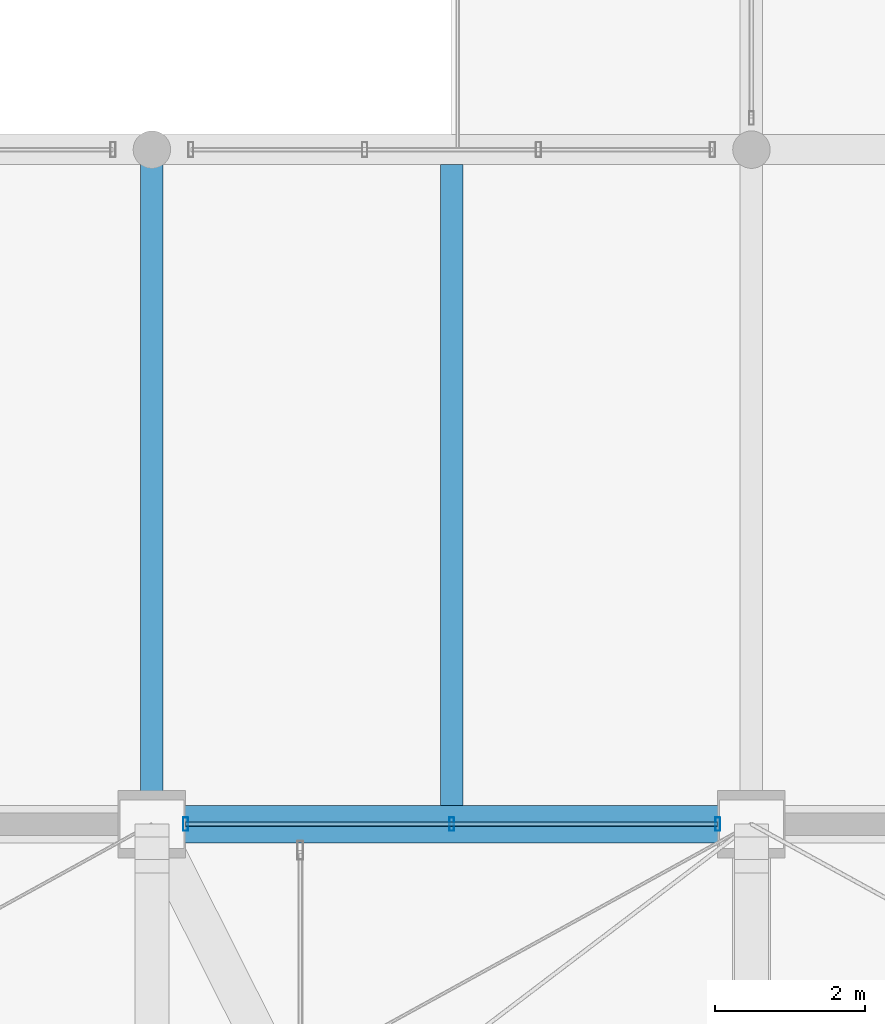
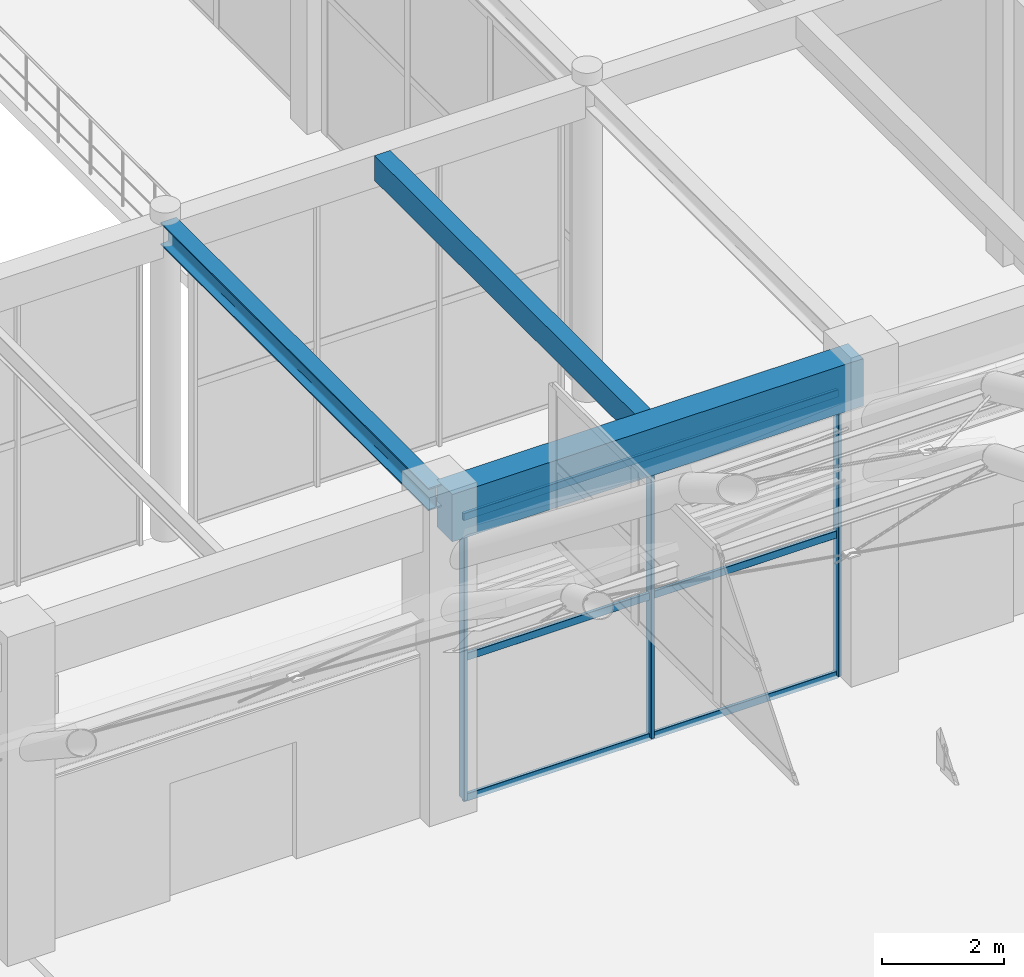
# One storey, part 79 of 163: 6 members, 3 beams, 1 element without a shape of its own.
"""IFC4 building model written with IfcOpenShell, lengths in metres."""

from ifc_helpers import new_model, si_unit, direction, frame, origin, origin_2d, place, context, subcontext, project, spatial, rectangle, hollow_rectangle, i_section, extrude, material, material_profile, profile_set, type_object, element, aggregate, save


model = new_model("IFC4")

# Units and contexts
model_context = context("Model", 3, precision=1e-05, world=origin(), true_north=direction((0.0, 1.0)))
body_context = subcontext(model_context, "Body", "Model", "MODEL_VIEW")
ifc_project = project(units=[si_unit("LENGTHUNIT", "METRE"), si_unit("AREAUNIT", "SQUARE_METRE"), si_unit("VOLUMEUNIT", "CUBIC_METRE"), si_unit("PLANEANGLEUNIT", "RADIAN"), si_unit("MASSUNIT", "GRAM", prefix="KILO")], contexts=[model_context])

# Site, building, storey
site_placement = place(None, origin())
site = spatial("IfcSite", under=ifc_project, at=site_placement, CompositionType="ELEMENT")
building_placement = place(site_placement, origin())
building = spatial("IfcBuilding", under=site, at=building_placement, Name="Varnabhumi Central Station", CompositionType="ELEMENT")
storey_placement = place(building_placement, frame((0.0, 0.0, 9.60009765625)))
storey = spatial("IfcBuildingStorey", under=building, at=storey_placement, Name="L02", CompositionType="ELEMENT", Elevation=9.60009765625)

# Beams
ifc_material_1 = material(Name="Concrete M40", Category="concrete")
ifc_material_profile_1 = material_profile(ifc_material_1, rectangle(XDim=0.300048828125, YDim=0.5, at=origin_2d()), Name="Concrete M40", Category="concrete")
ifc_profile_set_1 = profile_set([ifc_material_profile_1], Name="Concrete M40")
beam_type_1 = type_object("IfcBeamType", Name="BM-RC-300x500", PredefinedType="JOIST", material=ifc_profile_set_1)
beam_1_placement = place(storey_placement, frame((76.0, 80.25, 6.099853515625), z_axis=(0.0, 1.0, 0.0), x_axis=(-1.0, 0.0, 0.0)))
element("IfcBeam", 1, at=beam_1_placement, inside=storey, type_object=beam_type_1, Name="Secondary Joist L02-10/11:K-L", PredefinedType="JOIST", context=body_context, shape_type="SweptSolid", body=[
    extrude(rectangle(XDim=0.300048828125, YDim=0.5, at=origin_2d()), origin(), (0.0, 0.0, 1.0), 8.550048828125),
])
ifc_material_profile_2 = material_profile(ifc_material_1, rectangle(XDim=0.5, YDim=0.949951171875, at=origin_2d()), Name="Concrete M40", Category="concrete")
ifc_profile_set_2 = profile_set([ifc_material_profile_2], Name="Concrete M40")
beam_type_2 = type_object("IfcBeamType", Name="BM-RC-950x500", PredefinedType="BEAM", material=ifc_profile_set_2)
beam_2_placement = place(storey_placement, frame((72.10009765625, 80.0, 5.875), z_axis=(1.0, 0.0, 0.0), x_axis=(0.0, 1.0, 0.0)))
element("IfcBeam", 2, at=beam_2_placement, inside=storey, type_object=beam_type_2, Name="Beam L02-K:10-11", PredefinedType="BEAM", context=body_context, shape_type="SweptSolid", body=[
    extrude(rectangle(XDim=0.5, YDim=0.949951171875, at=origin_2d()), origin(), (0.0, 0.0, 1.0), 7.7998046875),
])
ifc_material_2 = material(Name="Structural steel E350", Category="steel")
ifc_material_profile_3 = material_profile(ifc_material_2, i_section(OverallWidth=0.300048828125, OverallDepth=0.449951171875, WebThickness=0.013916015625, FlangeThickness=0.02587890625, FilletRadius=0.027099609375, at=origin_2d()), Name="Structural steel E350", Category="steel")
ifc_profile_set_3 = profile_set([ifc_material_profile_3], Name="Structural steel E350")
beam_type_3 = type_object("IfcBeamType", Name="BM-STL-WPB450", PredefinedType="BEAM", material=ifc_profile_set_3)
beam_3_placement = place(storey_placement, frame((72.0, 80.10009765625, 6.125), z_axis=(0.0, 1.0, 0.0), x_axis=(-1.0, 0.0, 0.0)))
element("IfcBeam", 3, at=beam_3_placement, inside=storey, type_object=beam_type_3, Name="Beam L02-10:K-L", PredefinedType="BEAM", context=body_context, shape_type="SweptSolid", body=[
    extrude(i_section(OverallWidth=0.300048828125, OverallDepth=0.449951171875, WebThickness=0.013916015625, FlangeThickness=0.02587890625, FilletRadius=0.027099609375, at=origin_2d()), origin(), (0.0, 0.0, 1.0), 8.7998046875),
])

# Curtain wall, members
ifc_material_3 = material(Name="Anodised aluminium 6063-T6", Category="aluminium")
curtain_wall_type = type_object("IfcCurtainWallType", Name="CW-SPINE-SCREEN-L2", PredefinedType="NOTDEFINED", material=ifc_material_3)
curtain_wall_placement = place(storey_placement, origin())
curtain_wall = element("IfcCurtainWall", 4, at=curtain_wall_placement, inside=storey, type_object=curtain_wall_type, Name="Curtain Wall CW-NS206", PredefinedType="NOTDEFINED")
ifc_material_profile_4 = material_profile(ifc_material_3, hollow_rectangle(XDim=0.06494140625, YDim=0.179931640625, WallThickness=0.00390625, InnerFilletRadius=0.001953125, OuterFilletRadius=0.006103515625, at=origin_2d()), Name="Anodised aluminium 6063-T6", Category="aluminium")
ifc_profile_set_4 = profile_set([ifc_material_profile_4], Name="Anodised aluminium 6063-T6")
member_type_1 = type_object("IfcMemberType", Name="CW-MUL-180", PredefinedType="MULLION", material=ifc_profile_set_4)
member_1_placement = place(storey_placement, frame((72.449951171875, 80.0, 0.0), z_axis=(0.0, 0.0, 1.0), x_axis=(1.0, 0.0, 0.0)))
member_1 = element("IfcMember", 5, at=member_1_placement, type_object=member_type_1, Name="Curtain Wall Mullion CW-NS206-M1", PredefinedType="MULLION", context=body_context, shape_type="SweptSolid", body=[
    extrude(hollow_rectangle(XDim=0.06494140625, YDim=0.179931640625, WallThickness=0.00390625, InnerFilletRadius=0.001953125, OuterFilletRadius=0.006103515625, at=origin_2d()), origin(), (0.0, 0.0, 1.0), 5.639892578125),
])
member_2_placement = place(storey_placement, frame((76.0, 80.0, 0.0), z_axis=(0.0, 0.0, 1.0), x_axis=(1.0, 0.0, 0.0)))
member_2 = element("IfcMember", 6, at=member_2_placement, type_object=member_type_1, Name="Curtain Wall Mullion CW-NS206-M2", PredefinedType="MULLION", context=body_context, shape_type="SweptSolid", body=[
    extrude(hollow_rectangle(XDim=0.06494140625, YDim=0.179931640625, WallThickness=0.00390625, InnerFilletRadius=0.001953125, OuterFilletRadius=0.006103515625, at=origin_2d()), origin(), (0.0, 0.0, 1.0), 5.639892578125),
])
member_3_placement = place(storey_placement, frame((79.550048828125, 80.0, 0.0), z_axis=(0.0, 0.0, 1.0), x_axis=(1.0, 0.0, 0.0)))
member_3 = element("IfcMember", 7, at=member_3_placement, type_object=member_type_1, Name="Curtain Wall Mullion CW-NS206-M3", PredefinedType="MULLION", context=body_context, shape_type="SweptSolid", body=[
    extrude(hollow_rectangle(XDim=0.06494140625, YDim=0.179931640625, WallThickness=0.00390625, InnerFilletRadius=0.001953125, OuterFilletRadius=0.006103515625, at=origin_2d()), origin(), (0.0, 0.0, 1.0), 5.639892578125),
])
ifc_material_profile_5 = material_profile(ifc_material_3, hollow_rectangle(XDim=0.06005859375, YDim=0.14990234375, WallThickness=0.00390625, InnerFilletRadius=0.001953125, OuterFilletRadius=0.006103515625, at=origin_2d()), Name="Anodised aluminium 6063-T6", Category="aluminium")
ifc_profile_set_5 = profile_set([ifc_material_profile_5], Name="Anodised aluminium 6063-T6")
member_type_2 = type_object("IfcMemberType", Name="CW-TR-150", PredefinedType="USERDEFINED", material=ifc_profile_set_5)
member_4_placement = place(storey_placement, frame((72.449951171875, 80.0, 0.0), z_axis=(1.0, 0.0, 0.0), x_axis=(0.0, 1.0, 0.0)))
member_4 = element("IfcMember", 8, at=member_4_placement, type_object=member_type_2, Name="Curtain Wall Transom CW-NS206-T1", ObjectType="TRANSOM", PredefinedType="USERDEFINED", context=body_context, shape_type="SweptSolid", body=[
    extrude(hollow_rectangle(XDim=0.06005859375, YDim=0.14990234375, WallThickness=0.00390625, InnerFilletRadius=0.001953125, OuterFilletRadius=0.006103515625, at=origin_2d()), origin(), (0.0, 0.0, 1.0), 7.10009765625),
])
member_5_placement = place(storey_placement, frame((72.449951171875, 80.0, 2.81982421875), z_axis=(1.0, 0.0, 0.0), x_axis=(0.0, 1.0, 0.0)))
member_5 = element("IfcMember", 9, at=member_5_placement, type_object=member_type_2, Name="Curtain Wall Transom CW-NS206-T2", ObjectType="TRANSOM", PredefinedType="USERDEFINED", context=body_context, shape_type="SweptSolid", body=[
    extrude(hollow_rectangle(XDim=0.06005859375, YDim=0.14990234375, WallThickness=0.00390625, InnerFilletRadius=0.001953125, OuterFilletRadius=0.006103515625, at=origin_2d()), origin(), (0.0, 0.0, 1.0), 7.10009765625),
])
member_6_placement = place(storey_placement, frame((72.449951171875, 80.0, 5.639892578125), z_axis=(1.0, 0.0, 0.0), x_axis=(0.0, 1.0, 0.0)))
member_6 = element("IfcMember", 10, at=member_6_placement, type_object=member_type_2, Name="Curtain Wall Transom CW-NS206-T3", ObjectType="TRANSOM", PredefinedType="USERDEFINED", context=body_context, shape_type="SweptSolid", body=[
    extrude(hollow_rectangle(XDim=0.06005859375, YDim=0.14990234375, WallThickness=0.00390625, InnerFilletRadius=0.001953125, OuterFilletRadius=0.006103515625, at=origin_2d()), origin(), (0.0, 0.0, 1.0), 7.10009765625),
])
aggregate(curtain_wall, [member_1, member_2, member_3, member_4, member_5, member_6])

save(model, "model.ifc")
